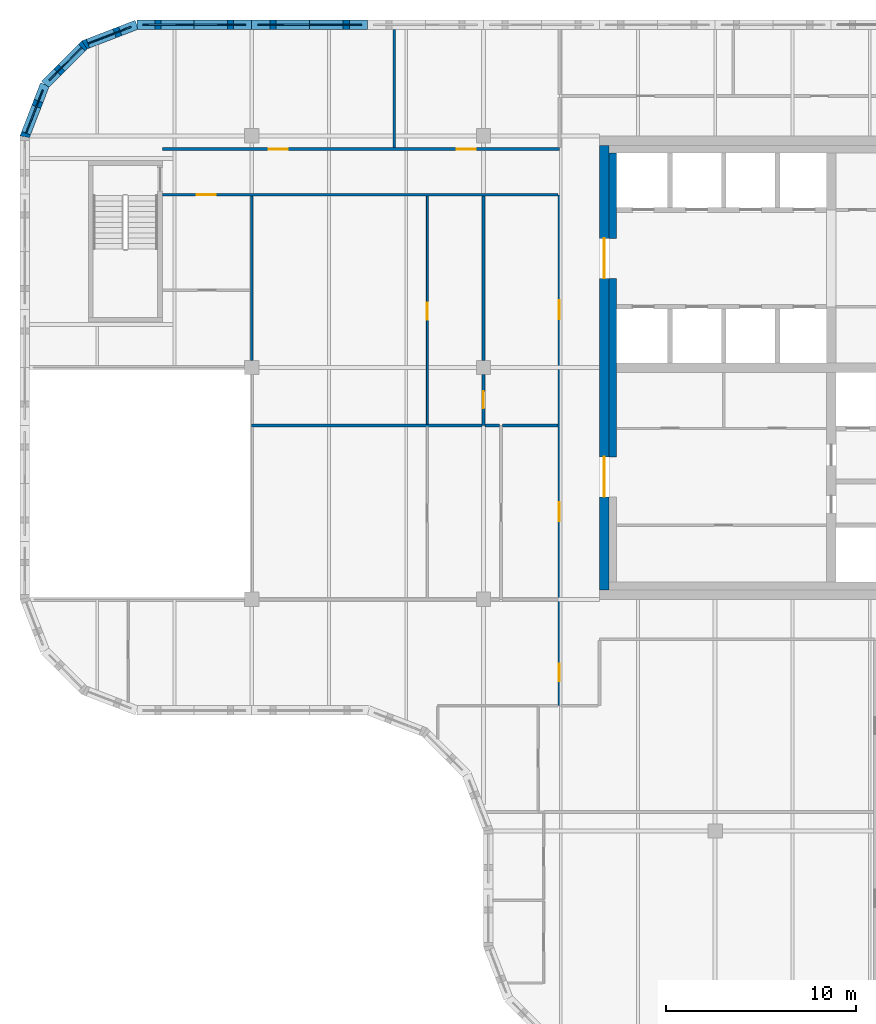
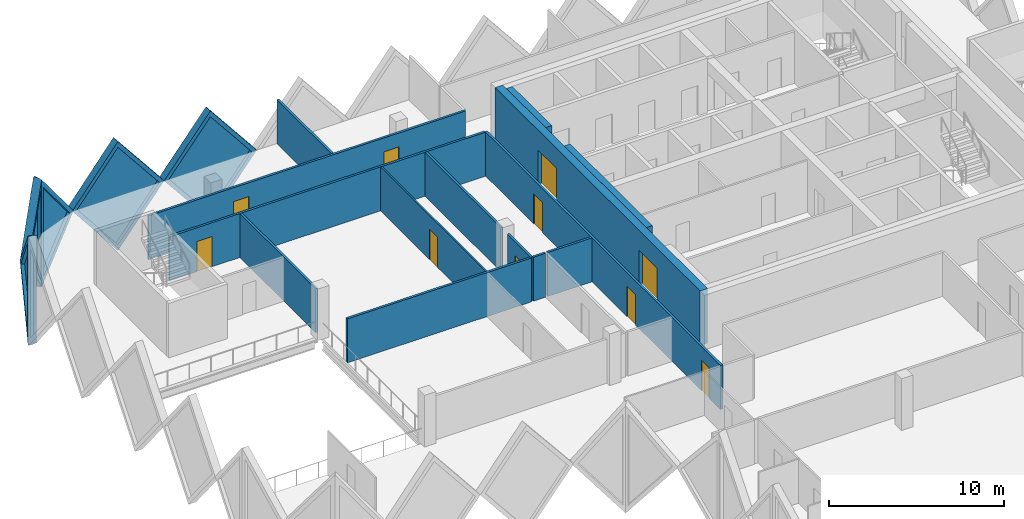
# One storey, part 7 of 11: 19 walls, 10 doors, 5 plates, 15 openings.
"""IFC4 building model written with IfcOpenShell, lengths in metres."""

from ifc_helpers import new_model, si_unit, direction, frame, frame_2d, origin, place, context, subcontext, project, spatial, polyline, rectangle, outline, extrude, faceted_brep, source, transform, mapped, material, layer, layer_set, type_object, element, fill, save


model = new_model("IFC4")

# Units and contexts
model_context = context("Model", 3, precision=1e-05, world=origin(), true_north=direction((0.0, 1.0)))
body_context = subcontext(model_context, "Body", "Model", "MODEL_VIEW")
ifc_project = project(units=[si_unit("LENGTHUNIT", "METRE"), si_unit("AREAUNIT", "SQUARE_METRE"), si_unit("VOLUMEUNIT", "CUBIC_METRE"), si_unit("PLANEANGLEUNIT", "RADIAN"), si_unit("MASSUNIT", "GRAM", prefix="KILO")], contexts=[model_context])

# Site, building, storey
site_placement = place(None, origin())
site = spatial("IfcSite", under=ifc_project, at=site_placement, CompositionType="ELEMENT")
building_placement = place(site_placement, origin())
building = spatial("IfcBuilding", under=site, at=building_placement, Name="Tessera Gate Towers", CompositionType="ELEMENT")
storey_placement = place(building_placement, frame((0.0, 0.0, 201.699951171875)))
storey = spatial("IfcBuildingStorey", under=building, at=storey_placement, Name="L50", CompositionType="ELEMENT", Elevation=201.699951171875)

# Wall, openings, doors
ifc_material_1 = material(Name="Concrete C50/60", Category="concrete")
ifc_layer_1 = layer(ifc_material_1, 0.5)
ifc_layer_set_1 = layer_set([ifc_layer_1], Name="CORE SHEAR WALL 500 C50/60")
wall_type_1 = type_object("IfcWallType", Name="CORE SHEAR WALL 500 C50/60", PredefinedType="SHEAR", material=ifc_layer_set_1)
wall_1_placement = place(storey_placement, frame((30.75, 24.89990234375, 0.0), z_axis=(0.0, 0.0, 1.0), x_axis=(0.0, 1.0, 0.0)))
wall_1 = element("IfcWall", 1, at=wall_1_placement, inside=storey, type_object=wall_type_1, Name="Core wall W L50", PredefinedType="SHEAR", context=body_context, shape_type="SweptSolid", body=[
    extrude(rectangle(XDim=23.400146484375, YDim=0.5, at=frame_2d((11.7001953125, 0.0))), origin(), (0.0, 0.0, 1.0), 3.800048828125),
])
shared_shape_1 = source(origin(), body_context, "Body", "SweptSolid", [
    extrude(rectangle(XDim=2.10009765625, YDim=2.39990234375, at=frame_2d((1.050048828125, 1.199951171875))), frame((0.0, 0.260009765625, 0.0), z_axis=(0.0, -1.0, 0.0), x_axis=(1.0, 0.0, 0.0)), (0.0, 0.0, 1.0), 0.52001953125),
])
opening_1_placement = place(wall_1_placement, frame((4.89990234375, 0.0, 0.0)))
opening_1 = element("IfcOpeningElement", 2, at=opening_1_placement, cuts=wall_1, Name="Opening DD-T1-31-02", PredefinedType="OPENING", context=body_context, shape_type="MappedRepresentation", body=[
    mapped(shared_shape_1, transform((0.0, 0.0, 0.0), scale=1.0)),
])
opening_2_placement = place(wall_1_placement, frame((16.39990234375, 0.0, 0.0)))
opening_2 = element("IfcOpeningElement", 3, at=opening_2_placement, cuts=wall_1, Name="Opening DD-T1-31-03", PredefinedType="OPENING", context=body_context, shape_type="MappedRepresentation", body=[
    mapped(shared_shape_1, transform((0.0, 0.0, 0.0), scale=1.0)),
])
ifc_material_2 = material(Name="Hollow steel fire door", Category="steel")
door_type_1 = type_object("IfcDoorType", Name="CORE DOOR DD 2100x2400", OperationType="NOTDEFINED", PredefinedType="DOOR", material=ifc_material_2)
shared_shape_2 = source(origin(), body_context, "Body", "SweptSolid", [
    extrude(rectangle(XDim=2.10009765625, YDim=2.39990234375, at=frame_2d((1.050048828125, 1.199951171875))), frame((0.0, 0.02490234375, 0.0), z_axis=(0.0, -1.0, 0.0), x_axis=(1.0, 0.0, 0.0)), (0.0, 0.0, 1.0), 0.050048828125),
])
door_1_placement = place(opening_1_placement, origin())
door_1 = element("IfcDoor", 4, at=door_1_placement, inside=storey, type_object=door_type_1, Name="Core entrance door", OperationType="DOUBLE_DOOR_SINGLE_SWING", OverallHeight=2.39990234375, OverallWidth=2.10009765625, PredefinedType="DOOR", context=body_context, shape_type="MappedRepresentation", body=[
    mapped(shared_shape_2, transform((0.0, 0.0, 0.0), scale=1.0)),
])
fill(opening_1, door_1)
door_2_placement = place(opening_2_placement, origin())
door_2 = element("IfcDoor", 5, at=door_2_placement, inside=storey, type_object=door_type_1, Name="Core entrance door", OperationType="DOUBLE_DOOR_SINGLE_SWING", OverallHeight=2.39990234375, OverallWidth=2.10009765625, PredefinedType="DOOR", context=body_context, shape_type="MappedRepresentation", body=[
    mapped(shared_shape_2, transform((0.0, 0.0, 0.0), scale=1.0)),
])
fill(opening_2, door_2)

# Walls
ifc_material_3 = material(Name="Concrete C50/60", Category="concrete")
ifc_layer_2 = layer(ifc_material_3, 0.39990234375)
ifc_layer_set_2 = layer_set([ifc_layer_2], Name="CORE WALL THICKENING 400")
wall_type_2 = type_object("IfcWallType", Name="CORE WALL THICKENING 400", PredefinedType="SOLIDWALL", material=ifc_layer_set_2)
wall_2_placement = place(storey_placement, frame((31.199951171875, 31.89990234375, 0.0), z_axis=(0.0, 0.0, 1.0), x_axis=(0.0, 1.0, 0.0)))
element("IfcWall", 6, at=wall_2_placement, inside=storey, type_object=wall_type_2, Name="Core wall thickening W L50", PredefinedType="SOLIDWALL", context=body_context, shape_type="SweptSolid", body=[
    extrude(rectangle(XDim=9.400146484375, YDim=0.39990234375, at=frame_2d((4.7001953125, 0.0))), origin(), (0.0, 0.0, 1.0), 3.800048828125),
])
wall_3_placement = place(storey_placement, frame((31.199951171875, 43.39990234375, 0.0), z_axis=(0.0, 0.0, 1.0), x_axis=(0.0, 1.0, 0.0)))
element("IfcWall", 7, at=wall_3_placement, inside=storey, type_object=wall_type_2, Name="Core wall thickening W L50", PredefinedType="SOLIDWALL", context=body_context, shape_type="SweptSolid", body=[
    extrude(rectangle(XDim=4.5, YDim=0.39990234375, at=frame_2d((2.25, 0.0))), origin(), (0.0, 0.0, 1.0), 3.800048828125),
])

# Wall, openings, doors
ifc_material_4 = material(Name="Gypsum board on steel studs, mineral wool", Category="steel")
ifc_layer_3 = layer(ifc_material_4, 0.14990234375)
ifc_layer_set_3 = layer_set([ifc_layer_3], Name="CORRIDOR WALL 150")
wall_type_3 = type_object("IfcWallType", Name="CORRIDOR WALL 150", PredefinedType="PARTITIONING", material=ifc_layer_set_3)
wall_4_placement = place(storey_placement, frame((28.39990234375, 18.800048828125, 0.0), z_axis=(0.0, 0.0, 1.0), x_axis=(0.0, 1.0, 0.0)))
wall_4 = element("IfcWall", 8, at=wall_4_placement, inside=storey, type_object=wall_type_3, Name="T1-L50-PW-022", PredefinedType="PARTITIONING", context=body_context, shape_type="SweptSolid", body=[
    extrude(rectangle(XDim=26.89990234375, YDim=0.14990234375, at=frame_2d((13.449951171875, 0.0))), origin(), (0.0, 0.0, 1.0), 3.067138671875),
])
shared_shape_3 = source(origin(), body_context, "Body", "SweptSolid", [
    extrude(rectangle(XDim=0.89990234375, YDim=2.10009765625, at=frame_2d((0.449951171875, 1.050048828125))), frame((0.0, 0.0849609375, 0.0), z_axis=(0.0, -1.0, 0.0), x_axis=(1.0, 0.0, 0.0)), (0.0, 0.0, 1.0), 0.169921875),
])
opening_3_placement = place(wall_4_placement, frame((1.300048828125, 0.0, 0.0)))
opening_3 = element("IfcOpeningElement", 9, at=opening_3_placement, cuts=wall_4, Name="Opening D890FD60-A18-01", PredefinedType="OPENING", context=body_context, shape_type="MappedRepresentation", body=[
    mapped(shared_shape_3, transform((0.0, 0.0, 0.0), scale=1.0)),
])
shared_shape_4 = source(origin(), body_context, "Body", "SweptSolid", [
    extrude(rectangle(XDim=1.0, YDim=2.10009765625, at=frame_2d((0.5, 1.050048828125))), frame((0.0, 0.0849609375, 0.0), z_axis=(0.0, -1.0, 0.0), x_axis=(1.0, 0.0, 0.0)), (0.0, 0.0, 1.0), 0.169921875),
])
opening_4_placement = place(wall_4_placement, frame((9.699951171875, 0.0, 0.0)))
opening_4 = element("IfcOpeningElement", 10, at=opening_4_placement, cuts=wall_4, Name="Opening D2100FD60-A18-04", PredefinedType="OPENING", context=body_context, shape_type="MappedRepresentation", body=[
    mapped(shared_shape_4, transform((0.0, 0.0, 0.0), scale=1.0)),
])
opening_5_placement = place(wall_4_placement, frame((20.35009765625, 0.0, 0.0)))
opening_5 = element("IfcOpeningElement", 11, at=opening_5_placement, cuts=wall_4, Name="Opening D2100FD60-A18-06", PredefinedType="OPENING", context=body_context, shape_type="MappedRepresentation", body=[
    mapped(shared_shape_4, transform((0.0, 0.0, 0.0), scale=1.0)),
])
ifc_material_5 = material(Name="Timber door leaf in steel frame", Category="steel")
door_type_2 = type_object("IfcDoorType", Name="CORRIDOR DOOR 900 FD60", OperationType="NOTDEFINED", PredefinedType="DOOR", material=ifc_material_5)
shared_shape_5 = source(origin(), body_context, "Body", "SweptSolid", [
    extrude(rectangle(XDim=0.89990234375, YDim=2.10009765625, at=frame_2d((0.449951171875, 1.050048828125))), frame((0.0, 0.02490234375, 0.0), z_axis=(0.0, -1.0, 0.0), x_axis=(1.0, 0.0, 0.0)), (0.0, 0.0, 1.0), 0.050048828125),
])
door_3_placement = place(opening_3_placement, origin())
door_3 = element("IfcDoor", 12, at=door_3_placement, inside=storey, type_object=door_type_2, Name="T1-L50-PD-001", OperationType="SINGLE_SWING_LEFT", OverallHeight=2.10009765625, OverallWidth=0.89990234375, PredefinedType="DOOR", context=body_context, shape_type="MappedRepresentation", body=[
    mapped(shared_shape_5, transform((0.0, 0.0, 0.0), scale=1.0)),
])
fill(opening_3, door_3)
ifc_material_6 = material(Name="Timber door leaf in steel frame", Category="steel")
door_type_3 = type_object("IfcDoorType", Name="TENANCY ENTRANCE DOOR 1000 FD60", OperationType="NOTDEFINED", PredefinedType="DOOR", material=ifc_material_6)
shared_shape_6 = source(origin(), body_context, "Body", "SweptSolid", [
    extrude(rectangle(XDim=1.0, YDim=2.10009765625, at=frame_2d((0.5, 1.050048828125))), frame((0.0, 0.02490234375, 0.0), z_axis=(0.0, -1.0, 0.0), x_axis=(1.0, 0.0, 0.0)), (0.0, 0.0, 1.0), 0.050048828125),
])
door_4_placement = place(opening_4_placement, origin())
door_4 = element("IfcDoor", 13, at=door_4_placement, inside=storey, type_object=door_type_3, Name="T1-L50-PD-018", OperationType="SINGLE_SWING_LEFT", OverallHeight=2.10009765625, OverallWidth=1.0, PredefinedType="DOOR", context=body_context, shape_type="MappedRepresentation", body=[
    mapped(shared_shape_6, transform((0.0, 0.0, 0.0), scale=1.0)),
])
fill(opening_4, door_4)
door_5_placement = place(opening_5_placement, origin())
door_5 = element("IfcDoor", 14, at=door_5_placement, inside=storey, type_object=door_type_3, Name="T1-L50-PD-024", OperationType="SINGLE_SWING_LEFT", OverallHeight=2.10009765625, OverallWidth=1.0, PredefinedType="DOOR", context=body_context, shape_type="MappedRepresentation", body=[
    mapped(shared_shape_6, transform((0.0, 0.0, 0.0), scale=1.0)),
])
fill(opening_5, door_5)

# Wall, opening, door
wall_5_placement = place(storey_placement, frame((28.323974609375, 45.699951171875, 0.0), z_axis=(0.0, 0.0, 1.0), x_axis=(-1.0, 0.0, 0.0)))
wall_5 = element("IfcWall", 15, at=wall_5_placement, inside=storey, type_object=wall_type_3, Name="T1-L50-PW-043", PredefinedType="PARTITIONING", context=body_context, shape_type="SweptSolid", body=[
    extrude(rectangle(XDim=20.823974609375, YDim=0.14990234375, at=frame_2d((10.412109375, 0.0))), origin(), (0.0, 0.0, 1.0), 3.067138671875),
])
opening_6_placement = place(wall_5_placement, frame((18.02392578125, 0.0, 0.0)))
opening_6 = element("IfcOpeningElement", 16, at=opening_6_placement, cuts=wall_5, Name="Opening D2100FD60-A18-01", PredefinedType="OPENING", context=body_context, shape_type="MappedRepresentation", body=[
    mapped(shared_shape_4, transform((0.0, 0.0, 0.0), scale=1.0)),
])
door_6_placement = place(opening_6_placement, origin())
door_6 = element("IfcDoor", 17, at=door_6_placement, inside=storey, type_object=door_type_3, Name="T1-L50-PD-006", OperationType="SINGLE_SWING_RIGHT", OverallHeight=2.10009765625, OverallWidth=1.0, PredefinedType="DOOR", context=body_context, shape_type="MappedRepresentation", body=[
    mapped(shared_shape_6, transform((0.0, 0.0, 0.0), scale=1.0)),
])
fill(opening_6, door_6)

# Wall, openings, doors
wall_6_placement = place(storey_placement, frame((7.5, 48.10009765625, 0.0), z_axis=(0.0, 0.0, 1.0), x_axis=(1.0, 0.0, 0.0)))
wall_6 = element("IfcWall", 18, at=wall_6_placement, inside=storey, type_object=wall_type_3, Name="T1-L50-PW-044", PredefinedType="PARTITIONING", context=body_context, shape_type="SweptSolid", body=[
    extrude(rectangle(XDim=20.89990234375, YDim=0.14990234375, at=frame_2d((10.449951171875, 0.0))), origin(), (0.0, 0.0, 1.0), 3.067138671875),
])
opening_7_placement = place(wall_6_placement, frame((15.5009765625, 0.0, 0.0)))
opening_7 = element("IfcOpeningElement", 19, at=opening_7_placement, cuts=wall_6, Name="Opening D2100FD60-A18-03", PredefinedType="OPENING", context=body_context, shape_type="MappedRepresentation", body=[
    mapped(shared_shape_4, transform((0.0, 0.0, 0.0), scale=1.0)),
])
opening_8_placement = place(wall_6_placement, frame((5.60009765625, 0.0, 0.0)))
opening_8 = element("IfcOpeningElement", 20, at=opening_8_placement, cuts=wall_6, Name="Opening D2100FD60-A18-07", PredefinedType="OPENING", context=body_context, shape_type="MappedRepresentation", body=[
    mapped(shared_shape_4, transform((0.0, 0.0, 0.0), scale=1.0)),
])
door_7_placement = place(opening_7_placement, origin())
door_7 = element("IfcDoor", 21, at=door_7_placement, inside=storey, type_object=door_type_3, Name="T1-L50-PD-013", OperationType="SINGLE_SWING_LEFT", OverallHeight=2.10009765625, OverallWidth=1.0, PredefinedType="DOOR", context=body_context, shape_type="MappedRepresentation", body=[
    mapped(shared_shape_6, transform((0.0, 0.0, 0.0), scale=1.0)),
])
fill(opening_7, door_7)
door_8_placement = place(opening_8_placement, origin())
door_8 = element("IfcDoor", 22, at=door_8_placement, inside=storey, type_object=door_type_3, Name="T1-L50-PD-025", OperationType="SINGLE_SWING_LEFT", OverallHeight=2.10009765625, OverallWidth=1.0, PredefinedType="DOOR", context=body_context, shape_type="MappedRepresentation", body=[
    mapped(shared_shape_6, transform((0.0, 0.0, 0.0), scale=1.0)),
])
fill(opening_8, door_8)

# Wall, opening, door
ifc_material_7 = material(Name="Gypsum board on steel studs", Category="steel")
ifc_layer_4 = layer(ifc_material_7, 0.10009765625)
ifc_layer_set_4 = layer_set([ifc_layer_4], Name="PARTITION 100")
wall_type_4 = type_object("IfcWallType", Name="PARTITION 100", PredefinedType="PARTITIONING", material=ifc_layer_set_4)
wall_7_placement = place(storey_placement, frame((21.449951171875, 33.6259765625, 0.0), z_axis=(0.0, 0.0, 1.0), x_axis=(0.0, 1.0, 0.0)))
wall_7 = element("IfcWall", 23, at=wall_7_placement, inside=storey, type_object=wall_type_4, Name="T1-L50-PW-039", PredefinedType="PARTITIONING", context=body_context, shape_type="SweptSolid", body=[
    extrude(rectangle(XDim=11.998046875, YDim=0.10009765625, at=frame_2d((5.9990234375, 0.0))), origin(), (0.0, 0.0, 1.0), 3.067138671875),
])
shared_shape_7 = source(origin(), body_context, "Body", "SweptSolid", [
    extrude(rectangle(XDim=0.89990234375, YDim=2.10009765625, at=frame_2d((0.449951171875, 1.050048828125))), frame((0.0, 0.06005859375, 0.0), z_axis=(0.0, -1.0, 0.0), x_axis=(1.0, 0.0, 0.0)), (0.0, 0.0, 1.0), 0.1201171875),
])
opening_9_placement = place(wall_7_placement, frame((5.5, 0.0, 0.0)))
opening_9 = element("IfcOpeningElement", 24, at=opening_9_placement, cuts=wall_7, Name="Opening D190-A18-08", PredefinedType="OPENING", context=body_context, shape_type="MappedRepresentation", body=[
    mapped(shared_shape_7, transform((0.0, 0.0, 0.0), scale=1.0)),
])
ifc_material_8 = material(Name="Timber door leaf in steel frame", Category="steel")
door_type_4 = type_object("IfcDoorType", Name="INTERNAL DOOR 900 NOT RATED", OperationType="NOTDEFINED", PredefinedType="DOOR", material=ifc_material_8)
door_9_placement = place(opening_9_placement, origin())
door_9 = element("IfcDoor", 25, at=door_9_placement, inside=storey, type_object=door_type_4, Name="T1-L50-PD-023", OperationType="SINGLE_SWING_LEFT", OverallHeight=2.10009765625, OverallWidth=0.89990234375, PredefinedType="DOOR", context=body_context, shape_type="MappedRepresentation", body=[
    mapped(shared_shape_5, transform((0.0, 0.0, 0.0), scale=1.0)),
])
fill(opening_9, door_9)

# Wall
ifc_material_9 = material(Name="Gypsum board on steel studs, mineral wool", Category="steel")
ifc_layer_5 = layer(ifc_material_9, 0.14990234375)
ifc_layer_set_5 = layer_set([ifc_layer_5], Name="TENANCY WALL 150")
wall_type_5 = type_object("IfcWallType", Name="TENANCY WALL 150", PredefinedType="PARTITIONING", material=ifc_layer_set_5)
wall_8_placement = place(storey_placement, frame((12.199951171875, 33.550048828125, 0.0), z_axis=(0.0, 0.0, 1.0), x_axis=(1.0, 0.0, 0.0)))
element("IfcWall", 26, at=wall_8_placement, inside=storey, type_object=wall_type_5, Name="T1-L50-PW-035", PredefinedType="PARTITIONING", context=body_context, shape_type="SweptSolid", body=[
    extrude(rectangle(XDim=12.1240234375, YDim=0.14990234375, at=frame_2d((6.06201171875, 0.0))), origin(), (0.0, 0.0, 1.0), 3.067138671875),
])

# Wall, opening, door
wall_9_placement = place(storey_placement, frame((24.39990234375, 33.550048828125, 0.0), z_axis=(0.0, 0.0, 1.0), x_axis=(0.0, 1.0, 0.0)))
wall_9 = element("IfcWall", 27, at=wall_9_placement, inside=storey, type_object=wall_type_5, Name="T1-L50-PW-036", PredefinedType="PARTITIONING", context=body_context, shape_type="SweptSolid", body=[
    extrude(rectangle(XDim=2.674072265625, YDim=0.14990234375, at=frame_2d((1.3369140625, 0.0))), origin(), (0.0, 0.0, 1.0), 3.067138671875),
])
opening_10_placement = place(wall_9_placement, frame((0.89990234375, 0.0, 0.0)))
opening_10 = element("IfcOpeningElement", 28, at=opening_10_placement, cuts=wall_9, Name="Opening D190-A18-07", PredefinedType="OPENING", context=body_context, shape_type="MappedRepresentation", body=[
    mapped(shared_shape_3, transform((0.0, 0.0, 0.0), scale=1.0)),
])
door_10_placement = place(opening_10_placement, origin())
door_10 = element("IfcDoor", 29, at=door_10_placement, inside=storey, type_object=door_type_4, Name="T1-L50-PD-022", OperationType="SINGLE_SWING_LEFT", OverallHeight=2.10009765625, OverallWidth=0.89990234375, PredefinedType="DOOR", context=body_context, shape_type="MappedRepresentation", body=[
    mapped(shared_shape_5, transform((0.0, 0.0, 0.0), scale=1.0)),
])
fill(opening_10, door_10)

# Walls
wall_10_placement = place(storey_placement, frame((24.47607421875, 33.550048828125, 0.0), z_axis=(0.0, 0.0, 1.0), x_axis=(1.0, 0.0, 0.0)))
element("IfcWall", 30, at=wall_10_placement, inside=storey, type_object=wall_type_5, Name="T1-L50-PW-037", PredefinedType="PARTITIONING", context=body_context, shape_type="SweptSolid", body=[
    extrude(rectangle(XDim=0.77294921875, YDim=0.14990234375, at=frame_2d((0.386474609375, 0.0))), origin(), (0.0, 0.0, 1.0), 3.067138671875),
])
wall_11_placement = place(storey_placement, frame((25.40087890625, 33.550048828125, 0.0), z_axis=(0.0, 0.0, 1.0), x_axis=(1.0, 0.0, 0.0)))
element("IfcWall", 31, at=wall_11_placement, inside=storey, type_object=wall_type_5, Name="T1-L50-PW-038", PredefinedType="PARTITIONING", context=body_context, shape_type="SweptSolid", body=[
    extrude(rectangle(XDim=2.923095703125, YDim=0.14990234375, at=frame_2d((1.46142578125, 0.0))), origin(), (0.0, 0.0, 1.0), 3.067138671875),
])
for number, where, z_axis, x_axis, name in (
    (32, (12.199951171875, 36.97607421875, 0.0), (0.0, 0.0, 1.0), (0.0, 1.0, 0.0), "T1-L50-PW-040"),
    (33, (24.39990234375, 36.97607421875, 0.0), (0.0, 0.0, 1.0), (0.0, 1.0, 0.0), "T1-L50-PW-041"),
):
    element("IfcWall", number, at=place(storey_placement, frame(where, z_axis=z_axis, x_axis=x_axis)), inside=storey, type_object=wall_type_5, Name=name, PredefinedType="PARTITIONING", context=body_context, shape_type="SweptSolid", body=[
        extrude(rectangle(XDim=8.64794921875, YDim=0.14990234375, at=frame_2d((4.323974609375, 0.0))), origin(), (0.0, 0.0, 1.0), 3.067138671875),
    ])
wall_12_placement = place(storey_placement, frame((19.699951171875, 48.176025390625, 0.0), z_axis=(0.0, 0.0, 1.0), x_axis=(0.0, 1.0, 0.0)))
element("IfcWall", 34, at=wall_12_placement, inside=storey, type_object=wall_type_5, Name="T1-L50-PW-045", PredefinedType="PARTITIONING", context=body_context, shape_type="SweptSolid", body=[
    extrude(rectangle(XDim=6.223876953125, YDim=0.14990234375, at=frame_2d((3.11181640625, 0.0))), origin(), (0.0, 0.0, 1.0), 3.067138671875),
])

# Wall, opening, plate
ifc_material_10 = material(Name="Precast concrete C60/75 white", Category="concrete")
ifc_layer_6 = layer(ifc_material_10, 0.5)
ifc_layer_set_6 = layer_set([ifc_layer_6], Name="TS1 tessera")
wall_type_6 = type_object("IfcWallType", Name="TS1 tessera", PredefinedType="SOLIDWALL", material=ifc_layer_set_6)
shared_shape_8 = source(origin(), body_context, "Body", "SweptSolid", [
    extrude(outline(polyline([(3.050048828125, 0.0), (6.10009765625, 3.800048828125), (3.050048828125, 7.60009765625), (0.0, 3.800048828125), (3.050048828125, 0.0)])), frame((0.0, 0.25, 0.0), z_axis=(0.0, -1.0, 0.0), x_axis=(1.0, 0.0, 0.0)), (0.0, 0.0, 1.0), 0.5),
])
wall_13_placement = place(storey_placement, frame((18.300048828125, 54.64990234375, -3.800048828125), z_axis=(0.0, 0.0, 1.0), x_axis=(-1.0, 0.0, 0.0)))
wall_13 = element("IfcWall", 35, at=wall_13_placement, inside=storey, type_object=wall_type_6, Name="Precast tessera T1 TS1-0867", PredefinedType="SOLIDWALL", context=body_context, shape_type="MappedRepresentation", body=[
    mapped(shared_shape_8, transform((0.0, 0.0, 0.0), scale=1.0)),
])
shared_shape_9 = source(origin(), body_context, "Body", "SweptSolid", [
    extrude(outline(polyline([(3.050048828125, 0.3994140625), (5.779541015625, 3.800048828125), (3.050048828125, 7.20068359375), (0.320556640625, 3.800048828125), (3.050048828125, 0.3994140625)])), frame((0.0, 0.260009765625, 0.0), z_axis=(0.0, -1.0, 0.0), x_axis=(1.0, 0.0, 0.0)), (0.0, 0.0, 1.0), 0.52001953125),
])
opening_11_placement = place(wall_13_placement, origin())
opening_11 = element("IfcOpeningElement", 36, at=opening_11_placement, cuts=wall_13, Name="Opening T1-PL2-1763", PredefinedType="OPENING", context=body_context, shape_type="MappedRepresentation", body=[
    mapped(shared_shape_9, transform((0.0, 0.0, 0.0), scale=1.0)),
])
ifc_material_11 = material(Name="Low-e laminated glass", Category="glass")
ifc_layer_7 = layer(ifc_material_11, 0.06005859375)
ifc_layer_set_7 = layer_set([ifc_layer_7], Name="PL2 rhombic pane")
plate_type = type_object("IfcPlateType", Name="PL2 rhombic pane", PredefinedType="SHEET", material=ifc_layer_set_7)
shared_shape_10 = source(origin(), body_context, "Body", "SweptSolid", [
    extrude(outline(polyline([(3.050048828125, 0.3994140625), (5.779541015625, 3.800048828125), (3.050048828125, 7.20068359375), (0.320556640625, 3.800048828125), (3.050048828125, 0.3994140625)])), frame((0.0, 0.030029296875, 0.0), z_axis=(0.0, -1.0, 0.0), x_axis=(1.0, 0.0, 0.0)), (0.0, 0.0, 1.0), 0.06005859375),
])
plate_1_placement = place(opening_11_placement, origin())
plate_1 = element("IfcPlate", 37, at=plate_1_placement, inside=storey, type_object=plate_type, Name="Glass pane T1 PL2-1763", PredefinedType="SHEET", context=body_context, shape_type="MappedRepresentation", body=[
    mapped(shared_shape_10, transform((0.0, 0.0, 0.0), scale=1.0)),
])
fill(opening_11, plate_1)

shared_shape_11 = source(origin(), body_context, "Body", "Brep", [
    faceted_brep([(3.050048828125, -0.25, 0.0), (6.053466796875, -0.25, 3.800048828125), (3.050048828125, -0.25, 7.60009765625), (0.0, -0.25, 3.800048828125), (0.0, 0.25, 3.800048828125), (3.050048828125, 0.25, 7.60009765625), (6.0068359375, 0.25, 3.85888671875), (6.0068359375, 0.25, 3.7412109375), (3.050048828125, 0.25, 0.0), (6.053466796875, 0.0, 3.800048828125)], [[[0, 1, 2, 3]], [[4, 5, 6, 7, 8]], [[8, 7, 9, 1, 0]], [[6, 5, 2, 1, 9]], [[5, 4, 3, 2]], [[4, 8, 0, 3]], [[9, 7, 6]]]),
])
wall_14_placement = place(storey_placement, frame((12.199951171875, 54.64990234375, -3.800048828125), z_axis=(0.0, 0.0, 1.0), x_axis=(-1.0, 0.0, 0.0)))
wall_14 = element("IfcWall", 38, at=wall_14_placement, inside=storey, type_object=wall_type_6, Name="Precast tessera T1 TS1-0868", PredefinedType="SOLIDWALL", context=body_context, shape_type="MappedRepresentation", body=[
    mapped(shared_shape_11, transform((0.0, 0.0, 0.0), scale=1.0)),
])
shared_shape_12 = source(origin(), body_context, "Body", "SweptSolid", [
    extrude(outline(polyline([(3.048583984375, 0.4013671875), (5.73486328125, 3.800048828125), (3.048583984375, 7.19873046875), (0.320556640625, 3.800048828125), (3.048583984375, 0.4013671875)])), frame((0.0, 0.260009765625, 0.0), z_axis=(0.0, -1.0, 0.0), x_axis=(1.0, 0.0, 0.0)), (0.0, 0.0, 1.0), 0.52001953125),
])
opening_12_placement = place(wall_14_placement, origin())
opening_12 = element("IfcOpeningElement", 39, at=opening_12_placement, cuts=wall_14, Name="Opening T1-PL2-1764", PredefinedType="OPENING", context=body_context, shape_type="MappedRepresentation", body=[
    mapped(shared_shape_12, transform((0.0, 0.0, 0.0), scale=1.0)),
])
shared_shape_13 = source(origin(), body_context, "Body", "SweptSolid", [
    extrude(outline(polyline([(3.048583984375, 0.4013671875), (5.73486328125, 3.800048828125), (3.048583984375, 7.19873046875), (0.320556640625, 3.800048828125), (3.048583984375, 0.4013671875)])), frame((0.0, 0.030029296875, 0.0), z_axis=(0.0, -1.0, 0.0), x_axis=(1.0, 0.0, 0.0)), (0.0, 0.0, 1.0), 0.06005859375),
])
plate_2_placement = place(opening_12_placement, origin())
plate_2 = element("IfcPlate", 40, at=plate_2_placement, inside=storey, type_object=plate_type, Name="Glass pane T1 PL2-1764", PredefinedType="SHEET", context=body_context, shape_type="MappedRepresentation", body=[
    mapped(shared_shape_13, transform((0.0, 0.0, 0.0), scale=1.0)),
])
fill(opening_12, plate_2)

ifc_material_12 = material(Name="Precast concrete C60/75 white", Category="concrete")
ifc_layer_8 = layer(ifc_material_12, 0.5)
ifc_layer_set_8 = layer_set([ifc_layer_8], Name="TS3 corner tessera")
wall_type_7 = type_object("IfcWallType", Name="TS3 corner tessera", PredefinedType="SOLIDWALL", material=ifc_layer_set_8)
shared_shape_14 = source(origin(), body_context, "Body", "Brep", [
    faceted_brep([(2.950439453125, -0.25, 0.0), (3.00341796875, -0.25, 0.068359375), (3.00341796875, -0.25, 7.53173828125), (2.950439453125, -0.25, 7.60009765625), (0.0, -0.25, 3.800048828125), (0.046630859375, 0.25, 3.860107421875), (2.897705078125, 0.25, 7.531982421875), (2.897705078125, 0.25, 0.068115234375), (0.046630859375, 0.25, 3.739990234375), (2.950439453125, 0.00048828125, 0.0), (2.950439453125, 0.00048828125, 7.60009765625), (0.0, 0.0, 3.800048828125)], [[[0, 1, 2, 3, 4]], [[5, 6, 7, 8]], [[1, 0, 9]], [[10, 3, 2]], [[6, 5, 11, 4, 3, 10]], [[8, 7, 9, 0, 4, 11]], [[8, 11, 5]], [[1, 9, 7, 6, 10, 2]]]),
])
wall_15_placement = place(storey_placement, frame((6.146484375, 54.64990234375, -3.800048828125), z_axis=(0.0, 0.0, 1.0), x_axis=(-0.932997369089, -0.359883188373, 0.0)))
wall_15 = element("IfcWall", 41, at=wall_15_placement, inside=storey, type_object=wall_type_7, Name="Precast corner tessera T1 TS3-1161", PredefinedType="SOLIDWALL", context=body_context, shape_type="MappedRepresentation", body=[
    mapped(shared_shape_14, transform((0.0, 0.0, 0.0), scale=1.0)),
])
shared_shape_15 = source(origin(), body_context, "Body", "SweptSolid", [
    extrude(outline(polyline([(2.75048828125, 6.934814453125), (0.31640625, 3.800048828125), (2.75048828125, 0.665283203125), (2.75048828125, 6.934814453125)])), frame((0.0, 0.260009765625, 0.0), z_axis=(0.0, -1.0, 0.0), x_axis=(1.0, 0.0, 0.0)), (0.0, 0.0, 1.0), 0.52001953125),
])
opening_13_placement = place(wall_15_placement, origin())
opening_13 = element("IfcOpeningElement", 42, at=opening_13_placement, cuts=wall_15, Name="Opening T1-PL2-1765", PredefinedType="OPENING", context=body_context, shape_type="MappedRepresentation", body=[
    mapped(shared_shape_15, transform((0.0, 0.0, 0.0), scale=1.0)),
])
shared_shape_16 = source(origin(), body_context, "Body", "SweptSolid", [
    extrude(outline(polyline([(2.75048828125, 6.934814453125), (0.31640625, 3.800048828125), (2.75048828125, 0.665283203125), (2.75048828125, 6.934814453125)])), frame((0.0, 0.030029296875, 0.0), z_axis=(0.0, -1.0, 0.0), x_axis=(1.0, 0.0, 0.0)), (0.0, 0.0, 1.0), 0.06005859375),
])
plate_3_placement = place(opening_13_placement, origin())
plate_3 = element("IfcPlate", 43, at=plate_3_placement, inside=storey, type_object=plate_type, Name="Glass pane T1 PL2-1765", PredefinedType="SHEET", context=body_context, shape_type="MappedRepresentation", body=[
    mapped(shared_shape_16, transform((0.0, 0.0, 0.0), scale=1.0)),
])
fill(opening_13, plate_3)

shared_shape_17 = source(origin(), body_context, "Body", "Brep", [
    faceted_brep([(0.052978515625, -0.25, 0.0), (2.9970703125, -0.25, 3.800048828125), (0.052978515625, -0.25, 7.60009765625), (0.0, -0.25, 7.531982421875), (0.0, -0.25, 0.068115234375), (0.10595703125, 0.25, 7.53173828125), (2.944091796875, 0.25, 3.8681640625), (2.944091796875, 0.25, 3.73193359375), (0.10595703125, 0.25, 0.068359375), (2.9970703125, 0.000244140625, 3.800048828125), (0.052978515625, 0.0, 0.0), (0.052978515625, 0.0, 7.60009765625)], [[[0, 1, 2, 3, 4]], [[5, 6, 7, 8]], [[8, 7, 9, 1, 0, 10]], [[6, 5, 11, 2, 1, 9]], [[3, 2, 11]], [[10, 0, 4]], [[8, 10, 4, 3, 11, 5]], [[9, 7, 6]]]),
])
wall_16_placement = place(storey_placement, frame((3.43115234375, 53.62548828125, -3.800048828125), z_axis=(0.0, 0.0, 1.0), x_axis=(-0.707106781187, -0.707106781187, 0.0)))
wall_16 = element("IfcWall", 44, at=wall_16_placement, inside=storey, type_object=wall_type_7, Name="Precast corner tessera T1 TS3-1162", PredefinedType="SOLIDWALL", context=body_context, shape_type="MappedRepresentation", body=[
    mapped(shared_shape_17, transform((0.0, 0.0, 0.0), scale=1.0)),
])
shared_shape_18 = source(origin(), body_context, "Body", "SweptSolid", [
    extrude(outline(polyline([(0.2529296875, 0.66650390625), (2.680908203125, 3.800048828125), (0.2529296875, 6.933837890625), (0.2529296875, 0.66650390625)])), frame((0.0, 0.260009765625, 0.0), z_axis=(0.0, -1.0, 0.0), x_axis=(1.0, 0.0, 0.0)), (0.0, 0.0, 1.0), 0.52001953125),
])
opening_14_placement = place(wall_16_placement, origin())
opening_14 = element("IfcOpeningElement", 45, at=opening_14_placement, cuts=wall_16, Name="Opening T1-PL2-1766", PredefinedType="OPENING", context=body_context, shape_type="MappedRepresentation", body=[
    mapped(shared_shape_18, transform((0.0, 0.0, 0.0), scale=1.0)),
])
shared_shape_19 = source(origin(), body_context, "Body", "SweptSolid", [
    extrude(outline(polyline([(0.2529296875, 0.66650390625), (2.680908203125, 3.800048828125), (0.2529296875, 6.933837890625), (0.2529296875, 0.66650390625)])), frame((0.0, 0.030029296875, 0.0), z_axis=(0.0, -1.0, 0.0), x_axis=(1.0, 0.0, 0.0)), (0.0, 0.0, 1.0), 0.06005859375),
])
plate_4_placement = place(opening_14_placement, origin())
plate_4 = element("IfcPlate", 46, at=plate_4_placement, inside=storey, type_object=plate_type, Name="Glass pane T1 PL2-1766", PredefinedType="SHEET", context=body_context, shape_type="MappedRepresentation", body=[
    mapped(shared_shape_19, transform((0.0, 0.0, 0.0), scale=1.0)),
])
fill(opening_14, plate_4)

shared_shape_20 = source(origin(), body_context, "Body", "Brep", [
    faceted_brep([(2.950439453125, -0.25, 0.0), (2.9970703125, -0.25, 0.05908203125), (2.9970703125, -0.25, 7.541015625), (2.950439453125, -0.25, 7.60009765625), (0.0, -0.25, 3.800048828125), (0.052978515625, 0.25, 3.8681640625), (2.904052734375, 0.25, 7.540283203125), (2.904052734375, 0.25, 0.059814453125), (0.052978515625, 0.25, 3.73193359375), (2.950439453125, 0.00048828125, 0.0), (2.950439453125, 0.00048828125, 7.60009765625), (0.0, 0.0, 3.800048828125)], [[[0, 1, 2, 3, 4]], [[5, 6, 7, 8]], [[1, 0, 9]], [[10, 3, 2]], [[6, 5, 11, 4, 3, 10]], [[8, 7, 9, 0, 4, 11]], [[8, 11, 5]], [[1, 9, 7, 6, 10, 2]]]),
])
wall_17_placement = place(storey_placement, frame((1.31201171875, 51.50634765625, -3.800048828125), z_axis=(0.0, 0.0, 1.0), x_axis=(-0.359944998003, -0.932973525033, 0.0)))
wall_17 = element("IfcWall", 47, at=wall_17_placement, inside=storey, type_object=wall_type_7, Name="Precast corner tessera T1 TS3-1163", PredefinedType="SOLIDWALL", context=body_context, shape_type="MappedRepresentation", body=[
    mapped(shared_shape_20, transform((0.0, 0.0, 0.0), scale=1.0)),
])
opening_15_placement = place(wall_17_placement, origin())
opening_15 = element("IfcOpeningElement", 48, at=opening_15_placement, cuts=wall_17, Name="Opening T1-PL2-1767", PredefinedType="OPENING", context=body_context, shape_type="MappedRepresentation", body=[
    mapped(shared_shape_15, transform((0.0, 0.0, 0.0), scale=1.0)),
])
plate_5_placement = place(opening_15_placement, origin())
plate_5 = element("IfcPlate", 49, at=plate_5_placement, inside=storey, type_object=plate_type, Name="Glass pane T1 PL2-1767", PredefinedType="SHEET", context=body_context, shape_type="MappedRepresentation", body=[
    mapped(shared_shape_16, transform((0.0, 0.0, 0.0), scale=1.0)),
])
fill(opening_15, plate_5)

save(model, "model.ifc")
